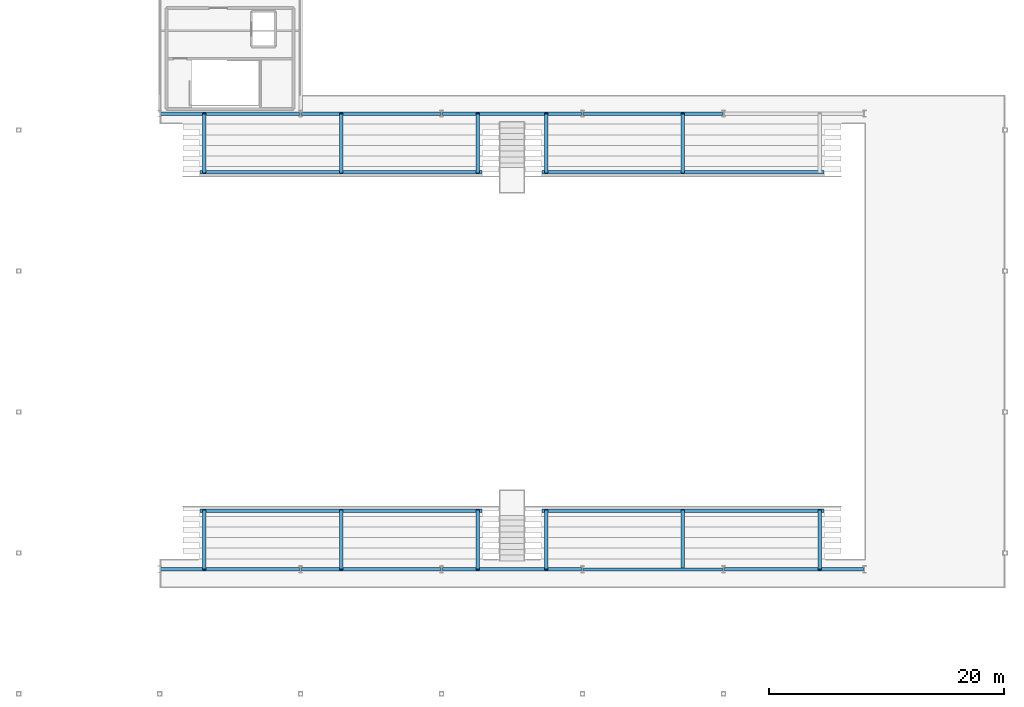
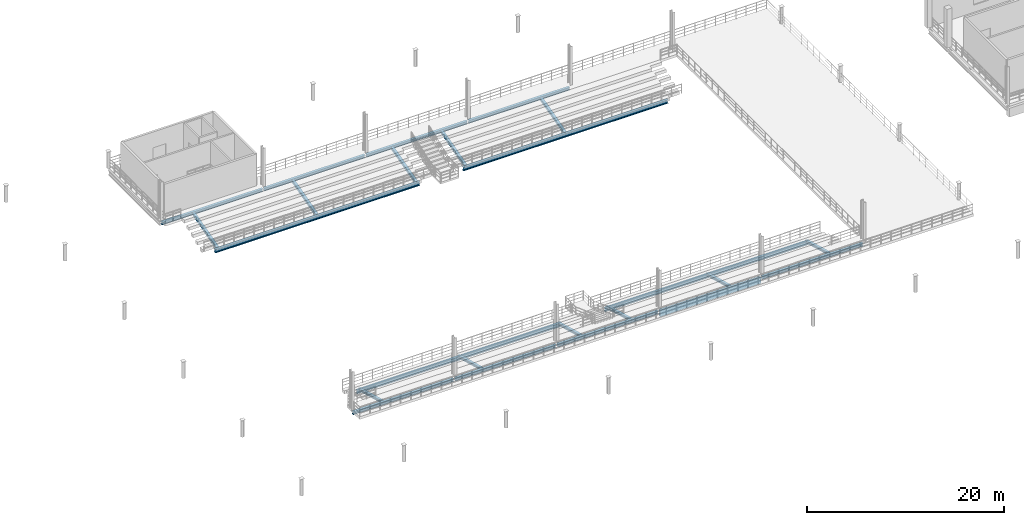
# One storey, part 17 of 52: 24 beams.
"""IFC4 building model written with IfcOpenShell, lengths in metres."""

from ifc_helpers import new_model, si_unit, direction, frame, origin, origin_2d, place, context, subcontext, project, spatial, rectangle, i_section, extrude, material, material_profile, profile_set, type_object, element, save


model = new_model("IFC4")

# Units and contexts
model_context = context("Model", 3, precision=1e-05, world=origin(), true_north=direction((0.0, 1.0)))
body_context = subcontext(model_context, "Body", "Model", "MODEL_VIEW")
ifc_project = project(units=[si_unit("LENGTHUNIT", "METRE"), si_unit("AREAUNIT", "SQUARE_METRE"), si_unit("VOLUMEUNIT", "CUBIC_METRE"), si_unit("PLANEANGLEUNIT", "RADIAN"), si_unit("MASSUNIT", "GRAM", prefix="KILO"), si_unit("THERMODYNAMICTEMPERATUREUNIT", "KELVIN"), si_unit("POWERUNIT", "WATT")], contexts=[model_context])

# Site, building, storey
site_placement = place(None, origin())
site = spatial("IfcSite", under=ifc_project, at=site_placement, CompositionType="ELEMENT")
building_placement = place(site_placement, origin())
building = spatial("IfcBuilding", under=site, at=building_placement, Name="Solmara Park Aquatics Centre", CompositionType="ELEMENT")
storey_placement = place(building_placement, frame((0.0, 0.0, 9.60009765625)))
storey = spatial("IfcBuildingStorey", under=building, at=storey_placement, Name="L02", CompositionType="ELEMENT", Elevation=9.60009765625)

# Beams
ifc_material_1 = material(Name="Glulam Timber GL28h", Category="wood")
ifc_material_profile_1 = material_profile(ifc_material_1, rectangle(XDim=0.239990234375, YDim=0.800048828125, at=origin_2d()), Name="GL28h 240x800")
ifc_profile_set_1 = profile_set([ifc_material_profile_1], Name="Glulam Timber GL28h")
beam_type_1 = type_object("IfcBeamType", Name="STR-BM-GL240x800", PredefinedType="BEAM", material=ifc_profile_set_1)
beam_placement = place(storey_placement, frame((60.679931640625, 23.199951171875, -0.72021484375), z_axis=(1.0, 0.0, 0.0), x_axis=(0.0, 1.0, 0.0)))
element("IfcBeam", 1, at=beam_placement, inside=storey, type_object=beam_type_1, Name="Girder BM-L02-0354", PredefinedType="BEAM", context=body_context, shape_type="SweptSolid", body=[
    extrude(rectangle(XDim=0.239990234375, YDim=0.800048828125, at=origin_2d()), origin(), (0.0, 0.0, 1.0), 11.840087890625),
])
ifc_material_2 = material(Name="Structural Steel S355", Category="steel")
ifc_material_profile_2 = material_profile(ifc_material_2, i_section(OverallWidth=0.300048828125, OverallDepth=0.35009765625, WebThickness=0.010009765625, FlangeThickness=0.017578125, FilletRadius=0.027099609375, at=origin_2d()), Name="HEA 360")
ifc_profile_set_2 = profile_set([ifc_material_profile_2], Name="Structural Steel S355")
beam_type_2 = type_object("IfcBeamType", Name="STR-BM-HEA360", PredefinedType="BEAM", material=ifc_profile_set_2)
for number, where, z_axis, x_axis, name in (
    (2, (24.679931640625, 62.0, -0.4951171875), (1.0, 0.0, 0.0), (0.0, 1.0, 0.0), "Girder BM-L02-0347"),
    (3, (24.679931640625, 23.199951171875, -0.4951171875), (1.0, 0.0, 0.0), (0.0, 1.0, 0.0), "Girder BM-L02-0351"),
    (4, (36.679931640625, 23.199951171875, -0.4951171875), (1.0, 0.0, 0.0), (0.0, 1.0, 0.0), "Girder BM-L02-0352"),
    (5, (48.679931640625, 23.199951171875, -0.4951171875), (1.0, 0.0, 0.0), (0.0, 1.0, 0.0), "Girder BM-L02-0353"),
    (6, (72.679931640625, 23.199951171875, -0.4951171875), (1.0, 0.0, 0.0), (0.0, 1.0, 0.0), "Girder BM-L02-0355"),
    (7, (36.679931640625, 62.0, -0.4951171875), (1.0, 0.0, 0.0), (0.0, 1.0, 0.0), "Girder BM-L02-0356"),
    (8, (48.679931640625, 62.0, -0.4951171875), (1.0, 0.0, 0.0), (0.0, 1.0, 0.0), "Girder BM-L02-0357"),
    (9, (60.679931640625, 62.0, -0.4951171875), (1.0, 0.0, 0.0), (0.0, 1.0, 0.0), "Girder BM-L02-0358"),
):
    element("IfcBeam", number, at=place(storey_placement, frame(where, z_axis=z_axis, x_axis=x_axis)), inside=storey, type_object=beam_type_2, Name=name, PredefinedType="BEAM", context=body_context, shape_type="SweptSolid", body=[
        extrude(i_section(OverallWidth=0.300048828125, OverallDepth=0.35009765625, WebThickness=0.010009765625, FlangeThickness=0.017578125, FilletRadius=0.027099609375, at=origin_2d()), origin(), (0.0, 0.0, 1.0), 11.840087890625),
    ])
ifc_material_profile_3 = material_profile(ifc_material_2, i_section(OverallWidth=0.300048828125, OverallDepth=0.449951171875, WebThickness=0.013916015625, FlangeThickness=0.02587890625, FilletRadius=0.027099609375, at=origin_2d()), Name="HEB 450")
ifc_profile_set_3 = profile_set([ifc_material_profile_3], Name="Structural Steel S355")
beam_type_3 = type_object("IfcBeamType", Name="STR-BM-HEB450", PredefinedType="BEAM", material=ifc_profile_set_3)
for number, where, z_axis, x_axis, name in (
    (10, (28.050048828125, 57.0, -2.0751953125), (1.0, 0.0, 0.0), (0.0, 1.0, 0.0), "Upper Stand Front Carrier Girder N1"),
    (11, (57.14990234375, 57.0, -2.0751953125), (1.0, 0.0, 0.0), (0.0, 1.0, 0.0), "Upper Stand Front Carrier Girder N2"),
    (12, (28.050048828125, 28.199951171875, -2.0751953125), (1.0, 0.0, 0.0), (0.0, 1.0, 0.0), "Upper Stand Front Carrier Girder S1"),
    (13, (57.14990234375, 28.199951171875, -2.0751953125), (1.0, 0.0, 0.0), (0.0, 1.0, 0.0), "Upper Stand Front Carrier Girder S2"),
):
    element("IfcBeam", number, at=place(storey_placement, frame(where, z_axis=z_axis, x_axis=x_axis)), inside=storey, type_object=beam_type_3, Name=name, PredefinedType="BEAM", context=body_context, shape_type="SweptSolid", body=[
        extrude(i_section(OverallWidth=0.300048828125, OverallDepth=0.449951171875, WebThickness=0.013916015625, FlangeThickness=0.02587890625, FilletRadius=0.027099609375, at=origin_2d()), origin(), (0.0, 0.0, 1.0), 24.0),
    ])
ifc_material_profile_4 = material_profile(ifc_material_2, i_section(OverallWidth=0.300048828125, OverallDepth=0.300048828125, WebThickness=0.010986328125, FlangeThickness=0.01904296875, FilletRadius=0.027099609375, at=origin_2d()), Name="HEB 300")
ifc_profile_set_4 = profile_set([ifc_material_profile_4], Name="Structural Steel S355")
beam_type_4 = type_object("IfcBeamType", Name="STR-RKR-HEB300", PredefinedType="USERDEFINED", material=ifc_profile_set_4)
for number, where, z_axis, x_axis, name in (
    (14, (28.39990234375, 57.0, -1.85009765625), (0.0, 0.965424337217, 0.260683426993), (-1.0, 0.0, 0.0), "Upper Stand RAKER Girder RKR-019"),
    (15, (40.050048828125, 57.0, -1.85009765625), (0.0, 0.965424337217, 0.260683426993), (-1.0, 0.0, 0.0), "Upper Stand RAKER Girder RKR-020"),
    (16, (51.699951171875, 57.0, -1.85009765625), (0.0, 0.965424337217, 0.260683426993), (-1.0, 0.0, 0.0), "Upper Stand RAKER Girder RKR-021"),
    (17, (57.5, 57.0, -1.85009765625), (0.0, 0.965424337217, 0.260683426993), (-1.0, 0.0, 0.0), "Upper Stand RAKER Girder RKR-022"),
    (18, (69.14990234375, 57.0, -1.85009765625), (0.0, 0.965424337217, 0.260683426993), (-1.0, 0.0, 0.0), "Upper Stand RAKER Girder RKR-023"),
    (19, (28.39990234375, 28.199951171875, -1.85009765625), (0.0, -0.965424337217, 0.260683426993), (1.0, 0.0, 0.0), "Upper Stand RAKER Girder RKR-025"),
    (20, (40.050048828125, 28.199951171875, -1.85009765625), (0.0, -0.965424337217, 0.260683426993), (1.0, 0.0, 0.0), "Upper Stand RAKER Girder RKR-026"),
    (21, (51.699951171875, 28.199951171875, -1.85009765625), (0.0, -0.965424337217, 0.260683426993), (1.0, 0.0, 0.0), "Upper Stand RAKER Girder RKR-027"),
    (22, (57.5, 28.199951171875, -1.85009765625), (0.0, -0.965424337217, 0.260683426993), (1.0, 0.0, 0.0), "Upper Stand RAKER Girder RKR-028"),
    (23, (69.14990234375, 28.199951171875, -1.85009765625), (0.0, -0.965424337217, 0.260683426993), (1.0, 0.0, 0.0), "Upper Stand RAKER Girder RKR-029"),
    (24, (80.800048828125, 28.199951171875, -1.85009765625), (0.0, -0.965424337217, 0.260683426993), (1.0, 0.0, 0.0), "Upper Stand RAKER Girder RKR-030"),
):
    element("IfcBeam", number, at=place(storey_placement, frame(where, z_axis=z_axis, x_axis=x_axis)), inside=storey, type_object=beam_type_4, Name=name, ObjectType="RAKER", PredefinedType="USERDEFINED", context=body_context, shape_type="SweptSolid", body=[
        extrude(i_section(OverallWidth=0.300048828125, OverallDepth=0.300048828125, WebThickness=0.010986328125, FlangeThickness=0.01904296875, FilletRadius=0.027099609375, at=origin_2d()), origin(), (0.0, 0.0, 1.0), 5.178955078125),
    ])

save(model, "model.ifc")
